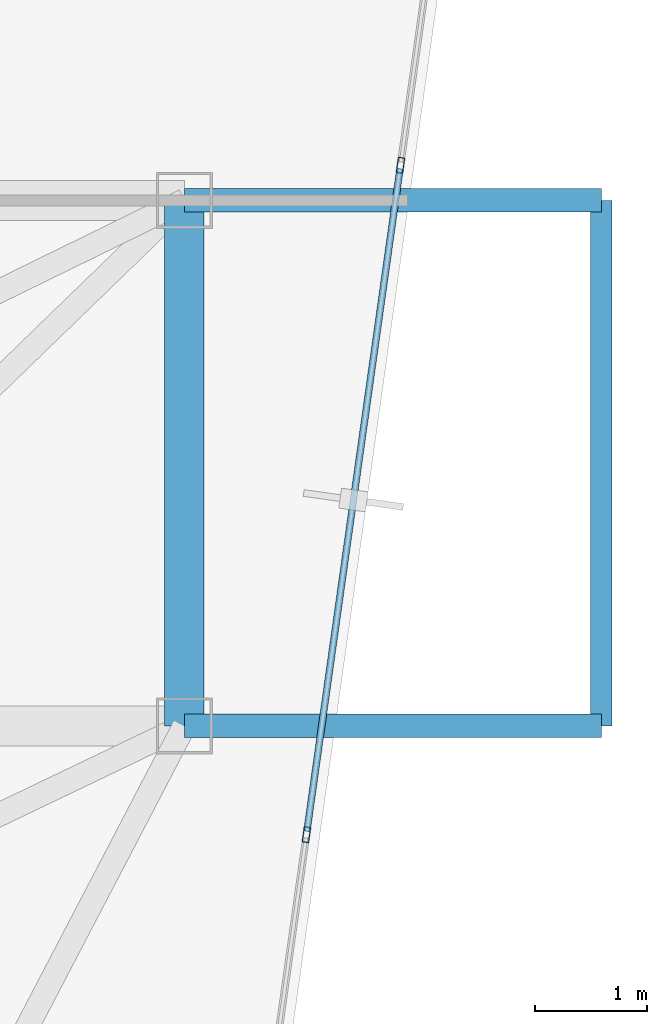
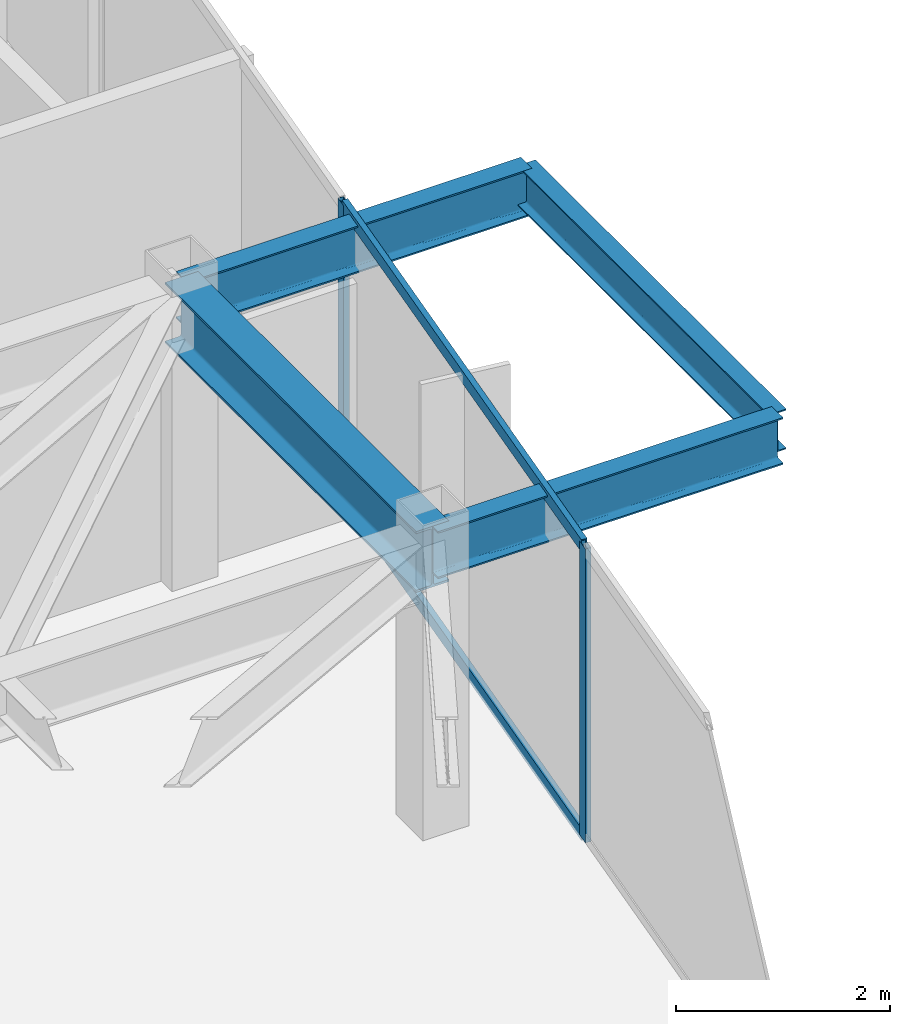
# One storey, part 13 of 20: 4 beams, 4 members, 1 element without a shape of its own.
"""IFC4 building model written with IfcOpenShell, lengths in metres."""

from ifc_helpers import new_model, si_unit, direction, frame, origin, origin_2d, place, context, subcontext, project, spatial, hollow_rectangle, i_section, extrude, material, layer, layer_set, material_profile, profile_set, type_object, element, aggregate, save


model = new_model("IFC4")

# Units and contexts
model_context = context("Model", 3, precision=1e-05, world=origin(), true_north=direction((0.0, 1.0)))
body_context = subcontext(model_context, "Body", "Model", "MODEL_VIEW")
ifc_project = project(units=[si_unit("LENGTHUNIT", "METRE"), si_unit("AREAUNIT", "SQUARE_METRE"), si_unit("VOLUMEUNIT", "CUBIC_METRE"), si_unit("PLANEANGLEUNIT", "RADIAN"), si_unit("MASSUNIT", "GRAM", prefix="KILO")], contexts=[model_context])

# Site, building, storey
site_placement = place(None, origin())
site = spatial("IfcSite", under=ifc_project, at=site_placement, CompositionType="ELEMENT")
building_placement = place(site_placement, origin())
building = spatial("IfcBuilding", under=site, at=building_placement, Name="Kravanh Interchange Tower", CompositionType="ELEMENT")
storey_placement = place(building_placement, frame((0.0, 0.0, 245.39990234375)))
storey = spatial("IfcBuildingStorey", under=building, at=storey_placement, Name="L59", CompositionType="ELEMENT", Elevation=245.39990234375)

# Curtain wall, members
ifc_material_1 = material(Name="Anodised Bronze Aluminium", Category="aluminium")
ifc_layer = layer(ifc_material_1, 0.179931640625)
ifc_layer_set = layer_set([ifc_layer], Name="Unitised Curtain Wall System CW-HTL Luxury Hotel")
curtain_wall_type = type_object("IfcCurtainWallType", Name="Unitised Curtain Wall System CW-HTL Luxury Hotel", PredefinedType="NOTDEFINED", material=ifc_layer_set)
curtain_wall_placement = place(storey_placement, origin())
curtain_wall = element("IfcCurtainWall", 1, at=curtain_wall_placement, inside=storey, type_object=curtain_wall_type, Name="L59 Unitised Curtain Wall CW-L59-01", PredefinedType="NOTDEFINED")
ifc_material_2 = material(Name="Anodised Bronze Aluminium", Category="aluminium")
ifc_material_profile_1 = material_profile(ifc_material_2, hollow_rectangle(XDim=0.06005859375, YDim=0.139892578125, WallThickness=0.00390625, at=origin_2d()), Name="ALU60X140X4")
ifc_profile_set_1 = profile_set([ifc_material_profile_1], Name="Anodised Bronze Aluminium")
member_type_1 = type_object("IfcMemberType", Name="Curtain Wall Mullion ALU60X140X4 Bronze", PredefinedType="MULLION", material=ifc_profile_set_1)
member_1_placement = place(storey_placement, frame((67.53369140625, 31.81396484375, 0.0), z_axis=(0.0, 0.0, 1.0), x_axis=(0.990267981542, -0.139173721418, 0.0)))
member_1 = element("IfcMember", 2, at=member_1_placement, type_object=member_type_1, Name="CW-HTL mullion 2", PredefinedType="MULLION", context=body_context, shape_type="SweptSolid", body=[
    extrude(hollow_rectangle(XDim=0.06005859375, YDim=0.139892578125, WallThickness=0.00390625, at=origin_2d()), origin(), (0.0, 0.0, 1.0), 3.360107421875),
])
member_2_placement = place(storey_placement, frame((66.6923828125, 25.82763671875, 0.0), z_axis=(0.0, 0.0, 1.0), x_axis=(0.990267981542, -0.139173721418, 0.0)))
member_2 = element("IfcMember", 3, at=member_2_placement, type_object=member_type_1, Name="CW-HTL mullion 3", PredefinedType="MULLION", context=body_context, shape_type="SweptSolid", body=[
    extrude(hollow_rectangle(XDim=0.06005859375, YDim=0.139892578125, WallThickness=0.00390625, at=origin_2d()), origin(), (0.0, 0.0, 1.0), 3.360107421875),
])
ifc_material_3 = material(Name="Anodised Bronze Aluminium", Category="aluminium")
ifc_material_profile_2 = material_profile(ifc_material_3, hollow_rectangle(XDim=0.06005859375, YDim=0.139892578125, WallThickness=0.00390625, at=origin_2d()), Name="ALU60X140X4")
ifc_profile_set_2 = profile_set([ifc_material_profile_2], Name="Anodised Bronze Aluminium")
member_type_2 = type_object("IfcMemberType", Name="Curtain Wall Transom ALU60X140X4 Bronze", PredefinedType="USERDEFINED", material=ifc_profile_set_2)
member_3_placement = place(storey_placement, frame((67.529541015625, 31.7841796875, 0.030029296875), z_axis=(-0.139182329263, -0.990266771744, 0.0), x_axis=(0.990266771744, -0.139182329263, 0.0)))
member_3 = element("IfcMember", 4, at=member_3_placement, type_object=member_type_2, Name="CW-HTL transom 2.1", ObjectType="TRANSOM", PredefinedType="USERDEFINED", context=body_context, shape_type="SweptSolid", body=[
    extrude(hollow_rectangle(XDim=0.06005859375, YDim=0.139892578125, WallThickness=0.00390625, at=origin_2d()), origin(), (0.0, 0.0, 1.0), 5.985107421875),
])
member_4_placement = place(storey_placement, frame((67.529541015625, 31.7841796875, 3.330078125), z_axis=(-0.139182329263, -0.990266771744, 0.0), x_axis=(0.990266771744, -0.139182329263, 0.0)))
member_4 = element("IfcMember", 5, at=member_4_placement, type_object=member_type_2, Name="CW-HTL transom 2.2", ObjectType="TRANSOM", PredefinedType="USERDEFINED", context=body_context, shape_type="SweptSolid", body=[
    extrude(hollow_rectangle(XDim=0.06005859375, YDim=0.139892578125, WallThickness=0.00390625, at=origin_2d()), origin(), (0.0, 0.0, 1.0), 5.985107421875),
])
aggregate(curtain_wall, [member_1, member_2, member_3, member_4])

# Beams
ifc_material_4 = material(Name="Structural Steel S355", Category="steel")
ifc_material_profile_3 = material_profile(ifc_material_4, i_section(OverallWidth=0.35498046875, OverallDepth=0.696044921875, WebThickness=0.015380859375, FlangeThickness=0.02490234375, FilletRadius=0.02392578125, at=origin_2d()), Name="W27X146")
ifc_profile_set_3 = profile_set([ifc_material_profile_3], Name="Structural Steel S355")
beam_type_1 = type_object("IfcBeamType", Name="Floor Beam W27X146 Structural Steel S355", PredefinedType="BEAM", material=ifc_profile_set_3)
beam_1_placement = place(storey_placement, frame((65.60009765625, 31.5, 3.01220703125), z_axis=(0.0, -1.0, 0.0), x_axis=(1.0, 0.0, 0.0)))
element("IfcBeam", 6, at=beam_1_placement, inside=storey, type_object=beam_type_1, Name="L59 Primary Floor Girder 13", PredefinedType="BEAM", context=body_context, shape_type="SweptSolid", body=[
    extrude(i_section(OverallWidth=0.35498046875, OverallDepth=0.696044921875, WebThickness=0.015380859375, FlangeThickness=0.02490234375, FilletRadius=0.02392578125, at=origin_2d()), origin(), (0.0, 0.0, 1.0), 4.699951171875),
])
ifc_material_5 = material(Name="Structural Steel S355", Category="steel")
ifc_material_profile_4 = material_profile(ifc_material_5, i_section(OverallWidth=0.18994140625, OverallDepth=0.45703125, WebThickness=0.009033203125, FlangeThickness=0.014404296875, FilletRadius=0.01806640625, at=origin_2d()), Name="W18X50")
ifc_profile_set_4 = profile_set([ifc_material_profile_4], Name="Structural Steel S355")
beam_type_2 = type_object("IfcBeamType", Name="Floor Joist W18X50 Structural Steel S355", PredefinedType="JOIST", material=ifc_profile_set_4)
beam_2_placement = place(storey_placement, frame((69.330078125, 26.800048828125, 3.131591796875), z_axis=(0.0, 1.0, 0.0), x_axis=(-1.0, 0.0, 0.0)))
element("IfcBeam", 7, at=beam_2_placement, inside=storey, type_object=beam_type_2, Name="L59 Balcony Edge Tie Beam E", PredefinedType="JOIST", context=body_context, shape_type="SweptSolid", body=[
    extrude(i_section(OverallWidth=0.18994140625, OverallDepth=0.45703125, WebThickness=0.009033203125, FlangeThickness=0.014404296875, FilletRadius=0.01806640625, at=origin_2d()), origin(), (0.0, 0.0, 1.0), 4.699951171875),
])
ifc_material_6 = material(Name="Structural Steel S355", Category="steel")
ifc_material_profile_5 = material_profile(ifc_material_6, i_section(OverallWidth=0.2099609375, OverallDepth=0.537109375, WebThickness=0.010986328125, FlangeThickness=0.017333984375, FilletRadius=0.02001953125, at=origin_2d()), Name="W21X68")
ifc_profile_set_5 = profile_set([ifc_material_profile_5], Name="Structural Steel S355")
beam_type_3 = type_object("IfcBeamType", Name="Floor Spandrel W21X68 Structural Steel S355", PredefinedType="SPANDREL", material=ifc_profile_set_5)
for number, where, z_axis, x_axis, name in (
    (8, (65.60009765625, 26.800048828125, 3.091552734375), (1.0, 0.0, 0.0), (0.0, 1.0, 0.0), "L59 Balcony Cantilever Outrigger E1"),
    (9, (65.60009765625, 31.5, 3.091552734375), (1.0, 0.0, 0.0), (0.0, 1.0, 0.0), "L59 Balcony Cantilever Outrigger E2"),
):
    element("IfcBeam", number, at=place(storey_placement, frame(where, z_axis=z_axis, x_axis=x_axis)), inside=storey, type_object=beam_type_3, Name=name, PredefinedType="SPANDREL", context=body_context, shape_type="SweptSolid", body=[
        extrude(i_section(OverallWidth=0.2099609375, OverallDepth=0.537109375, WebThickness=0.010986328125, FlangeThickness=0.017333984375, FilletRadius=0.02001953125, at=origin_2d()), origin(), (0.0, 0.0, 1.0), 3.72998046875),
    ])

save(model, "model.ifc")
